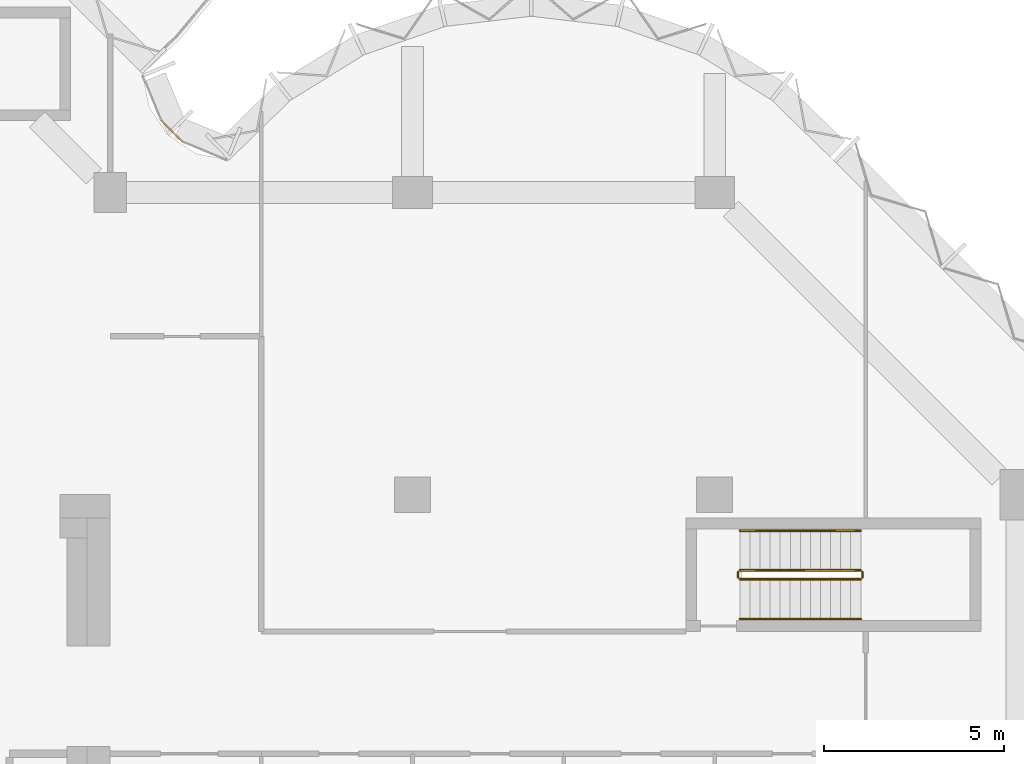
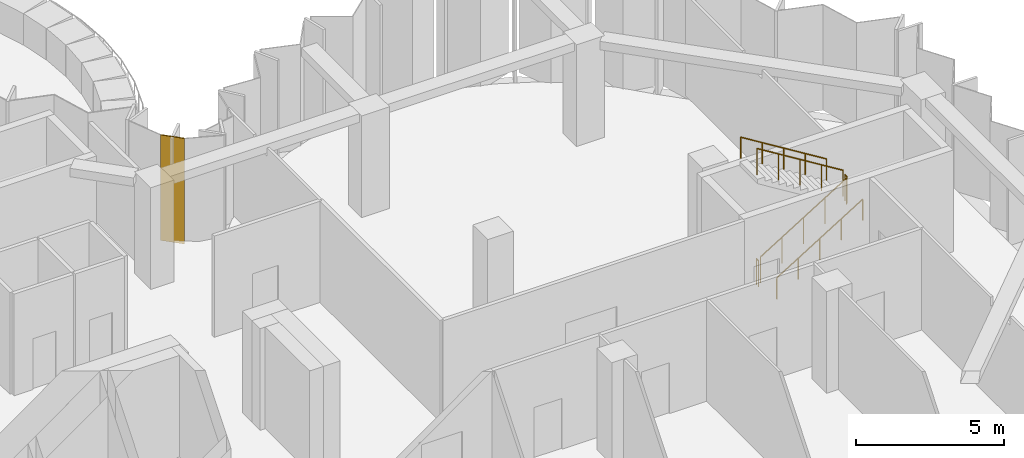
# One storey, part 13 of 15: 6 railings, 1 covering, 1 element without a shape of its own.
"""IFC4 building model written with IfcOpenShell, lengths in metres."""

from ifc_helpers import new_model, si_unit, direction, frame, origin, origin_2d, place, context, subcontext, project, spatial, polyline, circle, outline, extrude, material, layer, layer_set, type_object, element, aggregate, save


model = new_model("IFC4")

# Units and contexts
model_context = context("Model", 3, precision=1e-05, world=origin(), true_north=direction((0.0, 1.0)))
body_context = subcontext(model_context, "Body", "Model", "MODEL_VIEW")
ifc_project = project(units=[si_unit("LENGTHUNIT", "METRE"), si_unit("AREAUNIT", "SQUARE_METRE"), si_unit("VOLUMEUNIT", "CUBIC_METRE"), si_unit("PLANEANGLEUNIT", "RADIAN"), si_unit("MASSUNIT", "GRAM", prefix="KILO")], contexts=[model_context])

# Site, building, storey
site_placement = place(None, origin())
site = spatial("IfcSite", under=ifc_project, at=site_placement, CompositionType="ELEMENT")
building_placement = place(site_placement, origin())
building = spatial("IfcBuilding", under=site, at=building_placement, Name="Brevane Broadcast Tower", CompositionType="ELEMENT")
storey_placement = place(building_placement, frame((0.0, 0.0, 206.39990234375)))
storey = spatial("IfcBuildingStorey", under=building, at=storey_placement, Name="L52", CompositionType="ELEMENT", Elevation=206.39990234375)

# Railings
ifc_material_1 = material(Name="Steel S355", Category="steel")
railing_type_1 = type_object("IfcRailingType", Name="Exit stair guard", PredefinedType="GUARDRAIL", material=ifc_material_1)
railing_1_placement = place(storey_placement, frame((42.699951171875, 14.449951171875, 0.173095703125)))
element("IfcRailing", 1, at=railing_1_placement, inside=storey, type_object=railing_type_1, Name="L52 ST-4 stair guard 1", PredefinedType="GUARDRAIL", context=body_context, shape_type="SweptSolid", body=[
    extrude(circle(Radius=0.02392578125, at=origin_2d()), frame((0.0, 0.0, 1.076171875), z_axis=(0.850623216509, 0.0, 0.525775754039), x_axis=(0.0, 1.0, 0.0)), (0.0, 0.0, 1.0), 3.9501953125),
    extrude(circle(Radius=0.02099609375, at=origin_2d()), origin(), (0.0, 0.0, 1.0), 1.052001953125),
    extrude(circle(Radius=0.02099609375, at=origin_2d()), frame((0.840087890625, 0.0, 0.519287109375)), (0.0, 0.0, 1.0), 1.052001953125),
    extrude(circle(Radius=0.02099609375, at=origin_2d()), frame((1.68017578125, 0.0, 1.03857421875)), (0.0, 0.0, 1.0), 1.052001953125),
    extrude(circle(Radius=0.02099609375, at=origin_2d()), frame((2.52001953125, 0.0, 1.5576171875)), (0.0, 0.0, 1.0), 1.052001953125),
    extrude(circle(Radius=0.02099609375, at=origin_2d()), frame((3.360107421875, 0.0, 2.076904296875)), (0.0, 0.0, 1.0), 1.052001953125),
])
railing_2_placement = place(storey_placement, frame((46.110107421875, 14.5, 2.25)))
element("IfcRailing", 2, at=railing_2_placement, inside=storey, type_object=railing_type_1, Name="L52 ST-4 stair guard 2", PredefinedType="GUARDRAIL", context=body_context, shape_type="SweptSolid", body=[
    extrude(circle(Radius=0.02392578125, at=origin_2d()), frame((0.0, 0.0, 1.076171875), z_axis=(0.0, 1.0, 0.0), x_axis=(-1.0, 0.0, 0.0)), (0.0, 0.0, 1.0), 0.14990234375),
    extrude(circle(Radius=0.02099609375, at=origin_2d()), origin(), (0.0, 0.0, 1.0), 1.052001953125),
    extrude(circle(Radius=0.02099609375, at=origin_2d()), frame((0.0, 0.14990234375, 0.0)), (0.0, 0.0, 1.0), 1.052001953125),
])
railing_3_placement = place(storey_placement, frame((46.06005859375, 14.699951171875, 2.423095703125)))
element("IfcRailing", 3, at=railing_3_placement, inside=storey, type_object=railing_type_1, Name="L52 ST-4 stair guard 3", PredefinedType="GUARDRAIL", context=body_context, shape_type="SweptSolid", body=[
    extrude(circle(Radius=0.02392578125, at=origin_2d()), frame((0.0, 0.0, 1.076171875), z_axis=(-0.850623216509, 0.0, 0.525775754039), x_axis=(0.0, -1.0, 0.0)), (0.0, 0.0, 1.0), 3.9501953125),
    extrude(circle(Radius=0.02099609375, at=origin_2d()), origin(), (0.0, 0.0, 1.0), 1.052001953125),
    extrude(circle(Radius=0.02099609375, at=origin_2d()), frame((-0.840087890625, 0.0, 0.519287109375)), (0.0, 0.0, 1.0), 1.052001953125),
    extrude(circle(Radius=0.02099609375, at=origin_2d()), frame((-1.68017578125, 0.0, 1.03857421875)), (0.0, 0.0, 1.0), 1.052001953125),
    extrude(circle(Radius=0.02099609375, at=origin_2d()), frame((-2.52001953125, 0.0, 1.5576171875)), (0.0, 0.0, 1.0), 1.052001953125),
    extrude(circle(Radius=0.02099609375, at=origin_2d()), frame((-3.360107421875, 0.0, 2.076904296875)), (0.0, 0.0, 1.0), 1.052001953125),
])
railing_4_placement = place(storey_placement, frame((42.64990234375, 14.5, 0.0)))
element("IfcRailing", 4, at=railing_4_placement, inside=storey, type_object=railing_type_1, Name="L52 ST-4 stair guard 4", PredefinedType="GUARDRAIL", context=body_context, shape_type="SweptSolid", body=[
    extrude(circle(Radius=0.02392578125, at=origin_2d()), frame((0.0, 0.0, 1.076171875), z_axis=(0.0, 1.0, 0.0), x_axis=(-1.0, 0.0, 0.0)), (0.0, 0.0, 1.0), 0.14990234375),
    extrude(circle(Radius=0.02099609375, at=origin_2d()), origin(), (0.0, 0.0, 1.0), 1.052001953125),
    extrude(circle(Radius=0.02099609375, at=origin_2d()), frame((0.0, 0.14990234375, 0.0)), (0.0, 0.0, 1.0), 1.052001953125),
])
railing_type_2 = type_object("IfcRailingType", Name="Exit stair handrail", PredefinedType="HANDRAIL", material=ifc_material_1)
railing_5_placement = place(storey_placement, frame((42.699951171875, 13.35009765625, 0.173095703125)))
element("IfcRailing", 5, at=railing_5_placement, inside=storey, type_object=railing_type_2, Name="L52 ST-4 stair handrail 1", PredefinedType="HANDRAIL", context=body_context, shape_type="SweptSolid", body=[
    extrude(circle(Radius=0.02392578125, at=origin_2d()), frame((0.0, 0.0, 0.8759765625), z_axis=(0.850623216509, 0.0, 0.525775754039), x_axis=(0.0, 1.0, 0.0)), (0.0, 0.0, 1.0), 3.9501953125),
    extrude(circle(Radius=0.02099609375, at=origin_2d()), origin(), (0.0, 0.0, 1.0), 0.851806640625),
    extrude(circle(Radius=0.02099609375, at=origin_2d()), frame((0.840087890625, 0.0, 0.519287109375)), (0.0, 0.0, 1.0), 0.851806640625),
    extrude(circle(Radius=0.02099609375, at=origin_2d()), frame((1.68017578125, 0.0, 1.03857421875)), (0.0, 0.0, 1.0), 0.851806640625),
    extrude(circle(Radius=0.02099609375, at=origin_2d()), frame((2.52001953125, 0.0, 1.5576171875)), (0.0, 0.0, 1.0), 0.851806640625),
    extrude(circle(Radius=0.02099609375, at=origin_2d()), frame((3.360107421875, 0.0, 2.076904296875)), (0.0, 0.0, 1.0), 0.851806640625),
])
railing_6_placement = place(storey_placement, frame((46.06005859375, 15.800048828125, 2.423095703125)))
element("IfcRailing", 6, at=railing_6_placement, inside=storey, type_object=railing_type_2, Name="L52 ST-4 stair handrail 2", PredefinedType="HANDRAIL", context=body_context, shape_type="SweptSolid", body=[
    extrude(circle(Radius=0.02392578125, at=origin_2d()), frame((0.0, 0.0, 0.8759765625), z_axis=(-0.850623216509, 0.0, 0.525775754039), x_axis=(0.0, -1.0, 0.0)), (0.0, 0.0, 1.0), 3.9501953125),
    extrude(circle(Radius=0.02099609375, at=origin_2d()), origin(), (0.0, 0.0, 1.0), 0.851806640625),
    extrude(circle(Radius=0.02099609375, at=origin_2d()), frame((-0.840087890625, 0.0, 0.519287109375)), (0.0, 0.0, 1.0), 0.851806640625),
    extrude(circle(Radius=0.02099609375, at=origin_2d()), frame((-1.68017578125, 0.0, 1.03857421875)), (0.0, 0.0, 1.0), 0.851806640625),
    extrude(circle(Radius=0.02099609375, at=origin_2d()), frame((-2.52001953125, 0.0, 1.5576171875)), (0.0, 0.0, 1.0), 0.851806640625),
    extrude(circle(Radius=0.02099609375, at=origin_2d()), frame((-3.360107421875, 0.0, 2.076904296875)), (0.0, 0.0, 1.0), 0.851806640625),
])

# Curtain wall, covering
ifc_material_2 = material(Name="Aluminium 6063-T6 bronze anodised", Category="aluminium")
curtain_wall_type = type_object("IfcCurtainWallType", Name="CW-4 curtain wall", PredefinedType="NOTDEFINED", material=ifc_material_2)
curtain_wall_placement = place(storey_placement, origin())
curtain_wall = element("IfcCurtainWall", 7, at=curtain_wall_placement, inside=storey, type_object=curtain_wall_type, Name="CW-4 sky lobby unit L52 inner corner", PredefinedType="NOTDEFINED")
ifc_material_3 = material(Name="Back-painted bronze glass shadow-box", Category="glass")
ifc_layer = layer(ifc_material_3, 0.0400390625)
ifc_layer_set = layer_set([ifc_layer], Name="Shadow-box panel 40")
covering_type = type_object("IfcCoveringType", Name="Shadow-box panel 40", PredefinedType="CLADDING", material=ifc_layer_set)
covering_placement = place(storey_placement, frame((0.0, 0.0, -0.159912109375)))
covering = element("IfcCovering", 8, at=covering_placement, type_object=covering_type, Name="Closure panel", PredefinedType="CLADDING", context=body_context, shape_type="SweptSolid", body=[
    extrude(outline(polyline([(27.1865234375, 26.5986328125), (27.217041015625, 26.62939453125), (26.62939453125, 27.217041015625), (26.5986328125, 27.1865234375), (27.1865234375, 26.5986328125)])), origin(), (0.0, 0.0, 1.0), 4.360107421875),
])
aggregate(curtain_wall, [covering])

save(model, "model.ifc")
